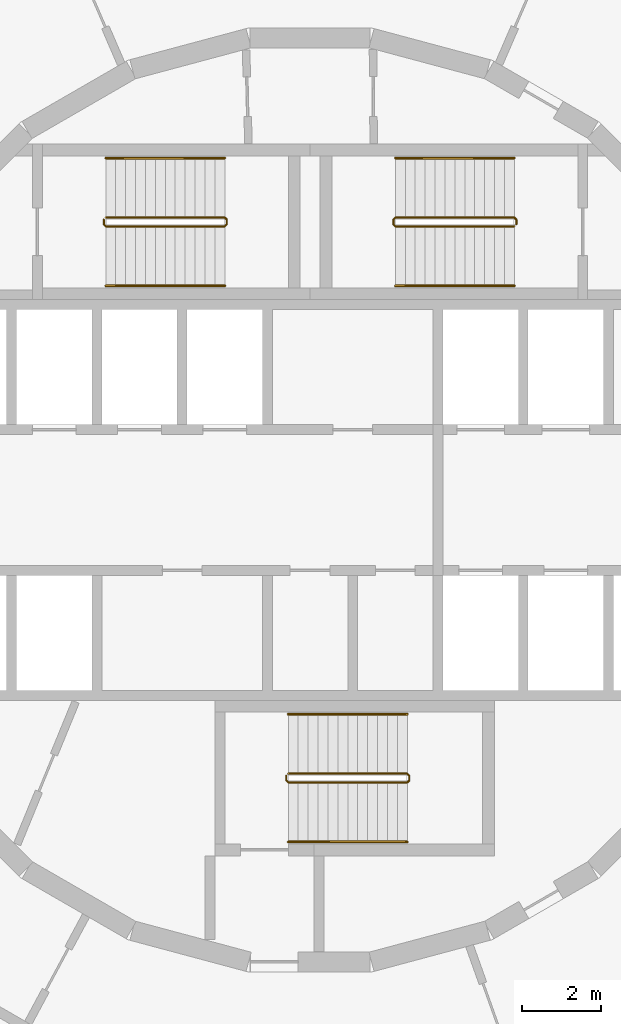
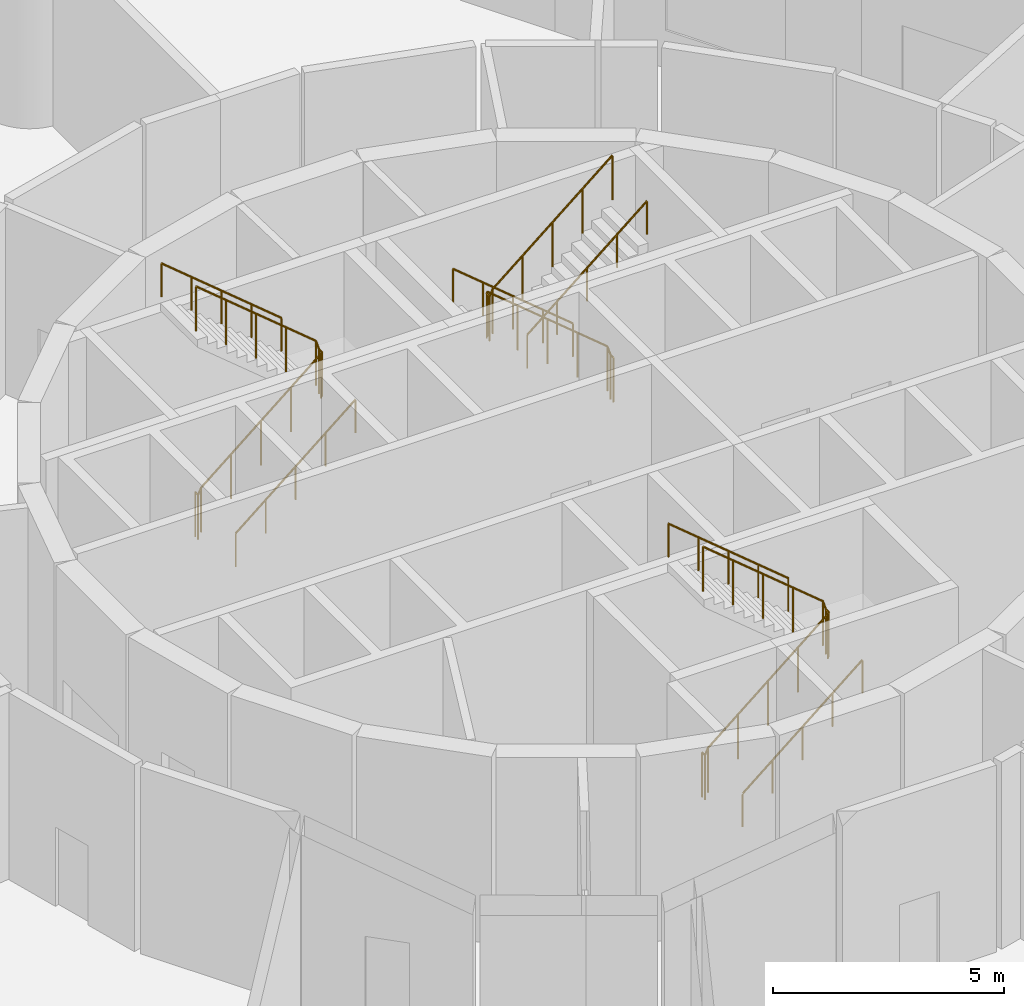
# One storey, part 11 of 11: 9 railings.
"""IFC4 building model written with IfcOpenShell, lengths in metres."""

from ifc_helpers import new_model, si_unit, direction, frame, origin, origin_2d, place, context, subcontext, project, spatial, circle, extrude, material, type_object, element, save


model = new_model("IFC4")

# Units and contexts
model_context = context("Model", 3, precision=1e-05, world=origin(), true_north=direction((0.0, 1.0)))
body_context = subcontext(model_context, "Body", "Model", "MODEL_VIEW")
ifc_project = project(units=[si_unit("LENGTHUNIT", "METRE"), si_unit("AREAUNIT", "SQUARE_METRE"), si_unit("VOLUMEUNIT", "CUBIC_METRE"), si_unit("PLANEANGLEUNIT", "RADIAN"), si_unit("MASSUNIT", "GRAM", prefix="KILO")], contexts=[model_context])

# Site, building, storey
site_placement = place(None, origin())
site = spatial("IfcSite", under=ifc_project, at=site_placement, CompositionType="ELEMENT")
building_placement = place(site_placement, origin())
building = spatial("IfcBuilding", under=site, at=building_placement, Name="Spindle Arch Residences", CompositionType="ELEMENT")
storey_placement = place(building_placement, frame((0.0, 0.0, 33.0)))
storey = spatial("IfcBuildingStorey", under=building, at=storey_placement, Name="L06", CompositionType="ELEMENT", Elevation=33.0)

# Railings
ifc_material_1 = material(Name="Steel, painted", Category="steel")
railing_type_1 = type_object("IfcRailingType", Name="Stair guard 1100", PredefinedType="GUARDRAIL", material=ifc_material_1)
railing_1_placement = place(storey_placement, frame((5.14990234375, 6.89990234375, 5.39990234375)))
element("IfcRailing", 1, at=railing_1_placement, inside=storey, type_object=railing_type_1, Name="L06 ST1 stair guard 1", PredefinedType="GUARDRAIL", context=body_context, shape_type="SweptSolid", body=[
    extrude(circle(Radius=0.02392578125, at=origin_2d()), frame((0.0, 0.0, 1.17578125), z_axis=(-0.769205520508, 0.0, -0.639001461047), x_axis=(0.0, -1.0, 0.0)), (0.0, 0.0, 1.0), 3.900146484375),
    extrude(circle(Radius=0.02392578125, at=origin_2d()), frame((-3.0, 0.0, -1.31640625), z_axis=(-0.226969213722, 0.228081807907, -0.946817651359), x_axis=(-0.708833529934, -0.705375805398, 0.0)), (0.0, 0.0, 1.0), 0.219482421875),
    extrude(circle(Radius=0.02392578125, at=origin_2d()), frame((-3.0498046875, 0.050048828125, -1.52392578125), z_axis=(0.0, 1.0, 0.0), x_axis=(-1.0, 0.0, 0.0)), (0.0, 0.0, 1.0), 0.1201171875),
    extrude(circle(Radius=0.02392578125, at=origin_2d()), frame((-3.0498046875, 0.170166015625, -1.52392578125), z_axis=(0.705375805398, 0.708833529934, 0.0), x_axis=(-0.708833529934, 0.705375805398, 0.0)), (0.0, 0.0, 1.0), 0.070556640625),
    extrude(circle(Radius=0.02392578125, at=origin_2d()), frame((-3.0, 0.22021484375, -1.52392578125), z_axis=(0.769205520508, 0.0, -0.639001461047), x_axis=(0.0, 1.0, 0.0)), (0.0, 0.0, 1.0), 3.900146484375),
    extrude(circle(Radius=0.02392578125, at=origin_2d()), frame((0.0, 0.22021484375, -4.01611328125), z_axis=(0.22802409238, -0.22802409238, -0.94657806154), x_axis=(0.707106781187, 0.707106781187, 0.0)), (0.0, 0.0, 1.0), 0.219482421875),
    extrude(circle(Radius=0.02392578125, at=origin_2d()), frame((0.050048828125, 0.170166015625, -4.22412109375), z_axis=(0.0, -1.0, 0.0), x_axis=(1.0, 0.0, 0.0)), (0.0, 0.0, 1.0), 0.1201171875),
    extrude(circle(Radius=0.02099609375, at=origin_2d()), origin(), (0.0, 0.0, 1.0), 1.15185546875),
    extrude(circle(Radius=0.02099609375, at=origin_2d()), frame((-0.75, 0.0, -0.623046875)), (0.0, 0.0, 1.0), 1.15185546875),
    extrude(circle(Radius=0.02099609375, at=origin_2d()), frame((-1.5, 0.0, -1.24609375)), (0.0, 0.0, 1.0), 1.15185546875),
    extrude(circle(Radius=0.02099609375, at=origin_2d()), frame((-2.25, 0.0, -1.869140625)), (0.0, 0.0, 1.0), 1.15185546875),
    extrude(circle(Radius=0.02099609375, at=origin_2d()), frame((-3.0, 0.0, -2.4921875)), (0.0, 0.0, 1.0), 1.15185546875),
    extrude(circle(Radius=0.02099609375, at=origin_2d()), frame((-3.0498046875, 0.050048828125, -2.699951171875)), (0.0, 0.0, 1.0), 1.15185546875),
    extrude(circle(Radius=0.02099609375, at=origin_2d()), frame((-3.0498046875, 0.170166015625, -2.699951171875)), (0.0, 0.0, 1.0), 1.15185546875),
    extrude(circle(Radius=0.02099609375, at=origin_2d()), frame((-3.0, 0.22021484375, -2.699951171875)), (0.0, 0.0, 1.0), 1.15185546875),
    extrude(circle(Radius=0.02099609375, at=origin_2d()), frame((-2.25, 0.22021484375, -3.322998046875)), (0.0, 0.0, 1.0), 1.15185546875),
    extrude(circle(Radius=0.02099609375, at=origin_2d()), frame((-1.5, 0.22021484375, -3.946044921875)), (0.0, 0.0, 1.0), 1.15185546875),
    extrude(circle(Radius=0.02099609375, at=origin_2d()), frame((-0.75, 0.22021484375, -4.569091796875)), (0.0, 0.0, 1.0), 1.15185546875),
    extrude(circle(Radius=0.02099609375, at=origin_2d()), frame((0.0, 0.22021484375, -5.192138671875)), (0.0, 0.0, 1.0), 1.15185546875),
    extrude(circle(Radius=0.02099609375, at=origin_2d()), frame((0.050048828125, 0.170166015625, -5.39990234375)), (0.0, 0.0, 1.0), 1.15185546875),
    extrude(circle(Radius=0.02099609375, at=origin_2d()), frame((0.050048828125, 0.050048828125, -5.39990234375)), (0.0, 0.0, 1.0), 1.15185546875),
])
railing_2_placement = place(storey_placement, frame((-5.14990234375, 7.1201171875, 5.39990234375)))
element("IfcRailing", 2, at=railing_2_placement, inside=storey, type_object=railing_type_1, Name="L06 ST2 stair guard 1", PredefinedType="GUARDRAIL", context=body_context, shape_type="SweptSolid", body=[
    extrude(circle(Radius=0.02392578125, at=origin_2d()), frame((0.0, 0.0, 1.17578125), z_axis=(0.769205520508, 0.0, -0.639001461047), x_axis=(0.0, 1.0, 0.0)), (0.0, 0.0, 1.0), 3.900146484375),
    extrude(circle(Radius=0.02392578125, at=origin_2d()), frame((3.0, 0.0, -1.31640625), z_axis=(0.226969213722, -0.228081807907, -0.946817651359), x_axis=(0.708833529934, 0.705375805398, 0.0)), (0.0, 0.0, 1.0), 0.219482421875),
    extrude(circle(Radius=0.02392578125, at=origin_2d()), frame((3.0498046875, -0.050048828125, -1.52392578125), z_axis=(0.0, -1.0, 0.0), x_axis=(1.0, 0.0, 0.0)), (0.0, 0.0, 1.0), 0.1201171875),
    extrude(circle(Radius=0.02392578125, at=origin_2d()), frame((3.0498046875, -0.170166015625, -1.52392578125), z_axis=(-0.705375805398, -0.708833529934, 0.0), x_axis=(0.708833529934, -0.705375805398, 0.0)), (0.0, 0.0, 1.0), 0.070556640625),
    extrude(circle(Radius=0.02392578125, at=origin_2d()), frame((3.0, -0.22021484375, -1.52392578125), z_axis=(-0.769205520508, 0.0, -0.639001461047), x_axis=(0.0, -1.0, 0.0)), (0.0, 0.0, 1.0), 3.900146484375),
    extrude(circle(Radius=0.02392578125, at=origin_2d()), frame((0.0, -0.22021484375, -4.01611328125), z_axis=(-0.22802409238, 0.22802409238, -0.94657806154), x_axis=(-0.707106781187, -0.707106781187, 0.0)), (0.0, 0.0, 1.0), 0.219482421875),
    extrude(circle(Radius=0.02392578125, at=origin_2d()), frame((-0.050048828125, -0.170166015625, -4.22412109375), z_axis=(0.0, 1.0, 0.0), x_axis=(-1.0, 0.0, 0.0)), (0.0, 0.0, 1.0), 0.1201171875),
    extrude(circle(Radius=0.02099609375, at=origin_2d()), origin(), (0.0, 0.0, 1.0), 1.15185546875),
    extrude(circle(Radius=0.02099609375, at=origin_2d()), frame((0.75, 0.0, -0.623046875)), (0.0, 0.0, 1.0), 1.15185546875),
    extrude(circle(Radius=0.02099609375, at=origin_2d()), frame((1.5, 0.0, -1.24609375)), (0.0, 0.0, 1.0), 1.15185546875),
    extrude(circle(Radius=0.02099609375, at=origin_2d()), frame((2.25, 0.0, -1.869140625)), (0.0, 0.0, 1.0), 1.15185546875),
    extrude(circle(Radius=0.02099609375, at=origin_2d()), frame((3.0, 0.0, -2.4921875)), (0.0, 0.0, 1.0), 1.15185546875),
    extrude(circle(Radius=0.02099609375, at=origin_2d()), frame((3.0498046875, -0.050048828125, -2.699951171875)), (0.0, 0.0, 1.0), 1.15185546875),
    extrude(circle(Radius=0.02099609375, at=origin_2d()), frame((3.0498046875, -0.170166015625, -2.699951171875)), (0.0, 0.0, 1.0), 1.15185546875),
    extrude(circle(Radius=0.02099609375, at=origin_2d()), frame((3.0, -0.22021484375, -2.699951171875)), (0.0, 0.0, 1.0), 1.15185546875),
    extrude(circle(Radius=0.02099609375, at=origin_2d()), frame((2.25, -0.22021484375, -3.322998046875)), (0.0, 0.0, 1.0), 1.15185546875),
    extrude(circle(Radius=0.02099609375, at=origin_2d()), frame((1.5, -0.22021484375, -3.946044921875)), (0.0, 0.0, 1.0), 1.15185546875),
    extrude(circle(Radius=0.02099609375, at=origin_2d()), frame((0.75, -0.22021484375, -4.569091796875)), (0.0, 0.0, 1.0), 1.15185546875),
    extrude(circle(Radius=0.02099609375, at=origin_2d()), frame((0.0, -0.22021484375, -5.192138671875)), (0.0, 0.0, 1.0), 1.15185546875),
    extrude(circle(Radius=0.02099609375, at=origin_2d()), frame((-0.050048828125, -0.170166015625, -5.39990234375)), (0.0, 0.0, 1.0), 1.15185546875),
    extrude(circle(Radius=0.02099609375, at=origin_2d()), frame((-0.050048828125, -0.050048828125, -5.39990234375)), (0.0, 0.0, 1.0), 1.15185546875),
])
railing_3_placement = place(storey_placement, frame((-0.550048828125, -6.89990234375, 5.39990234375)))
element("IfcRailing", 3, at=railing_3_placement, inside=storey, type_object=railing_type_1, Name="L06 ST3 stair guard 1", PredefinedType="GUARDRAIL", context=body_context, shape_type="SweptSolid", body=[
    extrude(circle(Radius=0.02392578125, at=origin_2d()), frame((0.0, 0.0, 1.17578125), z_axis=(0.769205520508, 0.0, -0.639001461047), x_axis=(0.0, 1.0, 0.0)), (0.0, 0.0, 1.0), 3.900146484375),
    extrude(circle(Radius=0.02392578125, at=origin_2d()), frame((3.0, 0.0, -1.31640625), z_axis=(0.22802409238, -0.22802409238, -0.94657806154), x_axis=(0.707106781187, 0.707106781187, 0.0)), (0.0, 0.0, 1.0), 0.219482421875),
    extrude(circle(Radius=0.02392578125, at=origin_2d()), frame((3.050048828125, -0.050048828125, -1.52392578125), z_axis=(0.0, -1.0, 0.0), x_axis=(1.0, 0.0, 0.0)), (0.0, 0.0, 1.0), 0.1201171875),
    extrude(circle(Radius=0.02392578125, at=origin_2d()), frame((3.050048828125, -0.170166015625, -1.52392578125), z_axis=(-0.707106781187, -0.707106781187, 0.0), x_axis=(0.707106781187, -0.707106781187, 0.0)), (0.0, 0.0, 1.0), 0.07080078125),
    extrude(circle(Radius=0.02392578125, at=origin_2d()), frame((3.0, -0.22021484375, -1.52392578125), z_axis=(-0.769205520508, 0.0, -0.639001461047), x_axis=(0.0, -1.0, 0.0)), (0.0, 0.0, 1.0), 3.900146484375),
    extrude(circle(Radius=0.02392578125, at=origin_2d()), frame((0.0, -0.22021484375, -4.01611328125), z_axis=(-0.22802409238, 0.22802409238, -0.94657806154), x_axis=(-0.707106781187, -0.707106781187, 0.0)), (0.0, 0.0, 1.0), 0.219482421875),
    extrude(circle(Radius=0.02392578125, at=origin_2d()), frame((-0.050048828125, -0.170166015625, -4.22412109375), z_axis=(0.0, 1.0, 0.0), x_axis=(-1.0, 0.0, 0.0)), (0.0, 0.0, 1.0), 0.1201171875),
    extrude(circle(Radius=0.02099609375, at=origin_2d()), origin(), (0.0, 0.0, 1.0), 1.15185546875),
    extrude(circle(Radius=0.02099609375, at=origin_2d()), frame((0.75, 0.0, -0.623046875)), (0.0, 0.0, 1.0), 1.15185546875),
    extrude(circle(Radius=0.02099609375, at=origin_2d()), frame((1.5, 0.0, -1.24609375)), (0.0, 0.0, 1.0), 1.15185546875),
    extrude(circle(Radius=0.02099609375, at=origin_2d()), frame((2.25, 0.0, -1.869140625)), (0.0, 0.0, 1.0), 1.15185546875),
    extrude(circle(Radius=0.02099609375, at=origin_2d()), frame((3.0, 0.0, -2.4921875)), (0.0, 0.0, 1.0), 1.15185546875),
    extrude(circle(Radius=0.02099609375, at=origin_2d()), frame((3.050048828125, -0.050048828125, -2.699951171875)), (0.0, 0.0, 1.0), 1.15185546875),
    extrude(circle(Radius=0.02099609375, at=origin_2d()), frame((3.050048828125, -0.170166015625, -2.699951171875)), (0.0, 0.0, 1.0), 1.15185546875),
    extrude(circle(Radius=0.02099609375, at=origin_2d()), frame((3.0, -0.22021484375, -2.699951171875)), (0.0, 0.0, 1.0), 1.15185546875),
    extrude(circle(Radius=0.02099609375, at=origin_2d()), frame((2.25, -0.22021484375, -3.322998046875)), (0.0, 0.0, 1.0), 1.15185546875),
    extrude(circle(Radius=0.02099609375, at=origin_2d()), frame((1.5, -0.22021484375, -3.946044921875)), (0.0, 0.0, 1.0), 1.15185546875),
    extrude(circle(Radius=0.02099609375, at=origin_2d()), frame((0.75, -0.22021484375, -4.569091796875)), (0.0, 0.0, 1.0), 1.15185546875),
    extrude(circle(Radius=0.02099609375, at=origin_2d()), frame((0.0, -0.22021484375, -5.192138671875)), (0.0, 0.0, 1.0), 1.15185546875),
    extrude(circle(Radius=0.02099609375, at=origin_2d()), frame((-0.050048828125, -0.170166015625, -5.39990234375)), (0.0, 0.0, 1.0), 1.15185546875),
    extrude(circle(Radius=0.02099609375, at=origin_2d()), frame((-0.050048828125, -0.050048828125, -5.39990234375)), (0.0, 0.0, 1.0), 1.15185546875),
])
ifc_material_2 = material(Name="Steel, painted", Category="steel")
railing_type_2 = type_object("IfcRailingType", Name="Stair handrail 900", PredefinedType="HANDRAIL", material=ifc_material_2)
railing_4_placement = place(storey_placement, frame((5.14990234375, 8.6201171875, 0.207763671875)))
element("IfcRailing", 4, at=railing_4_placement, inside=storey, type_object=railing_type_2, Name="L06 ST1 stair handrail 1", PredefinedType="HANDRAIL", context=body_context, shape_type="SweptSolid", body=[
    extrude(circle(Radius=0.02392578125, at=origin_2d()), frame((0.0, 0.0, 0.8759765625), z_axis=(-0.769205520508, 0.0, 0.639001461047), x_axis=(0.0, -1.0, 0.0)), (0.0, 0.0, 1.0), 3.900146484375),
    extrude(circle(Radius=0.02099609375, at=origin_2d()), origin(), (0.0, 0.0, 1.0), 0.851806640625),
    extrude(circle(Radius=0.02099609375, at=origin_2d()), frame((-0.75, 0.0, 0.623046875)), (0.0, 0.0, 1.0), 0.851806640625),
    extrude(circle(Radius=0.02099609375, at=origin_2d()), frame((-1.5, 0.0, 1.24609375)), (0.0, 0.0, 1.0), 0.851806640625),
    extrude(circle(Radius=0.02099609375, at=origin_2d()), frame((-2.25, 0.0, 1.869140625)), (0.0, 0.0, 1.0), 0.851806640625),
    extrude(circle(Radius=0.02099609375, at=origin_2d()), frame((-3.0, 0.0, 2.4921875)), (0.0, 0.0, 1.0), 0.851806640625),
])
for number, where, name in (
    (5, (2.14990234375, 5.39990234375, 2.90771484375), "L06 ST1 stair handrail 2"),
    (6, (-5.14990234375, 5.39990234375, 0.207763671875), "L06 ST2 stair handrail 1"),
):
    element("IfcRailing", number, at=place(storey_placement, frame(where)), inside=storey, type_object=railing_type_2, Name=name, PredefinedType="HANDRAIL", context=body_context, shape_type="SweptSolid", body=[
        extrude(circle(Radius=0.02392578125, at=origin_2d()), frame((0.0, 0.0, 0.8759765625), z_axis=(0.769205520508, 0.0, 0.639001461047), x_axis=(0.0, 1.0, 0.0)), (0.0, 0.0, 1.0), 3.900146484375),
        extrude(circle(Radius=0.02099609375, at=origin_2d()), origin(), (0.0, 0.0, 1.0), 0.851806640625),
        extrude(circle(Radius=0.02099609375, at=origin_2d()), frame((0.75, 0.0, 0.623046875)), (0.0, 0.0, 1.0), 0.851806640625),
        extrude(circle(Radius=0.02099609375, at=origin_2d()), frame((1.5, 0.0, 1.24609375)), (0.0, 0.0, 1.0), 0.851806640625),
        extrude(circle(Radius=0.02099609375, at=origin_2d()), frame((2.25, 0.0, 1.869140625)), (0.0, 0.0, 1.0), 0.851806640625),
        extrude(circle(Radius=0.02099609375, at=origin_2d()), frame((3.0, 0.0, 2.4921875)), (0.0, 0.0, 1.0), 0.851806640625),
    ])
railing_5_placement = place(storey_placement, frame((-2.14990234375, 8.6201171875, 2.90771484375)))
element("IfcRailing", 7, at=railing_5_placement, inside=storey, type_object=railing_type_2, Name="L06 ST2 stair handrail 2", PredefinedType="HANDRAIL", context=body_context, shape_type="SweptSolid", body=[
    extrude(circle(Radius=0.02392578125, at=origin_2d()), frame((0.0, 0.0, 0.8759765625), z_axis=(-0.769205520508, 0.0, 0.639001461047), x_axis=(0.0, -1.0, 0.0)), (0.0, 0.0, 1.0), 3.900146484375),
    extrude(circle(Radius=0.02099609375, at=origin_2d()), origin(), (0.0, 0.0, 1.0), 0.851806640625),
    extrude(circle(Radius=0.02099609375, at=origin_2d()), frame((-0.75, 0.0, 0.623046875)), (0.0, 0.0, 1.0), 0.851806640625),
    extrude(circle(Radius=0.02099609375, at=origin_2d()), frame((-1.5, 0.0, 1.24609375)), (0.0, 0.0, 1.0), 0.851806640625),
    extrude(circle(Radius=0.02099609375, at=origin_2d()), frame((-2.25, 0.0, 1.869140625)), (0.0, 0.0, 1.0), 0.851806640625),
    extrude(circle(Radius=0.02099609375, at=origin_2d()), frame((-3.0, 0.0, 2.4921875)), (0.0, 0.0, 1.0), 0.851806640625),
])
railing_6_placement = place(storey_placement, frame((-0.550048828125, -8.6201171875, 0.207763671875)))
element("IfcRailing", 8, at=railing_6_placement, inside=storey, type_object=railing_type_2, Name="L06 ST3 stair handrail 1", PredefinedType="HANDRAIL", context=body_context, shape_type="SweptSolid", body=[
    extrude(circle(Radius=0.02392578125, at=origin_2d()), frame((0.0, 0.0, 0.8759765625), z_axis=(0.769205520508, 0.0, 0.639001461047), x_axis=(0.0, 1.0, 0.0)), (0.0, 0.0, 1.0), 3.900146484375),
    extrude(circle(Radius=0.02099609375, at=origin_2d()), origin(), (0.0, 0.0, 1.0), 0.851806640625),
    extrude(circle(Radius=0.02099609375, at=origin_2d()), frame((0.75, 0.0, 0.623046875)), (0.0, 0.0, 1.0), 0.851806640625),
    extrude(circle(Radius=0.02099609375, at=origin_2d()), frame((1.5, 0.0, 1.24609375)), (0.0, 0.0, 1.0), 0.851806640625),
    extrude(circle(Radius=0.02099609375, at=origin_2d()), frame((2.25, 0.0, 1.869140625)), (0.0, 0.0, 1.0), 0.851806640625),
    extrude(circle(Radius=0.02099609375, at=origin_2d()), frame((3.0, 0.0, 2.4921875)), (0.0, 0.0, 1.0), 0.851806640625),
])
railing_7_placement = place(storey_placement, frame((2.449951171875, -5.39990234375, 2.90771484375)))
element("IfcRailing", 9, at=railing_7_placement, inside=storey, type_object=railing_type_2, Name="L06 ST3 stair handrail 2", PredefinedType="HANDRAIL", context=body_context, shape_type="SweptSolid", body=[
    extrude(circle(Radius=0.02392578125, at=origin_2d()), frame((0.0, 0.0, 0.8759765625), z_axis=(-0.769205520508, 0.0, 0.639001461047), x_axis=(0.0, -1.0, 0.0)), (0.0, 0.0, 1.0), 3.900146484375),
    extrude(circle(Radius=0.02099609375, at=origin_2d()), origin(), (0.0, 0.0, 1.0), 0.851806640625),
    extrude(circle(Radius=0.02099609375, at=origin_2d()), frame((-0.75, 0.0, 0.623046875)), (0.0, 0.0, 1.0), 0.851806640625),
    extrude(circle(Radius=0.02099609375, at=origin_2d()), frame((-1.5, 0.0, 1.24609375)), (0.0, 0.0, 1.0), 0.851806640625),
    extrude(circle(Radius=0.02099609375, at=origin_2d()), frame((-2.25, 0.0, 1.869140625)), (0.0, 0.0, 1.0), 0.851806640625),
    extrude(circle(Radius=0.02099609375, at=origin_2d()), frame((-3.0, 0.0, 2.4921875)), (0.0, 0.0, 1.0), 0.851806640625),
])

save(model, "model.ifc")
